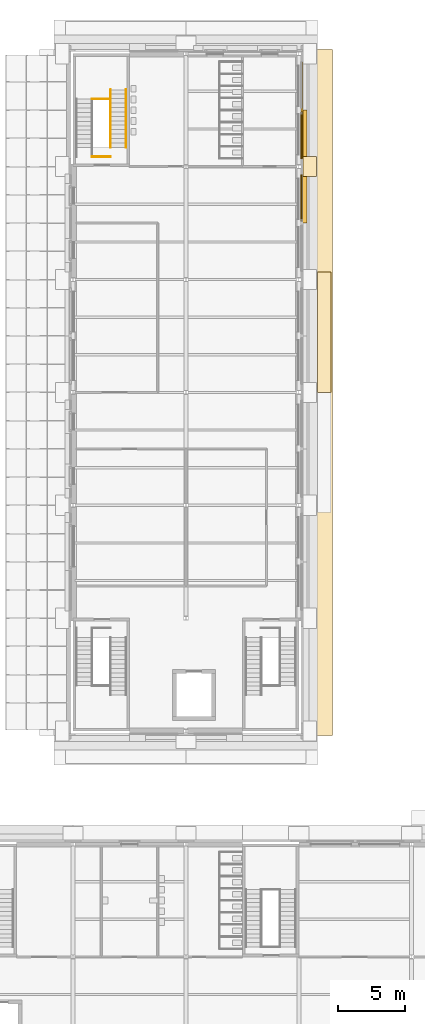
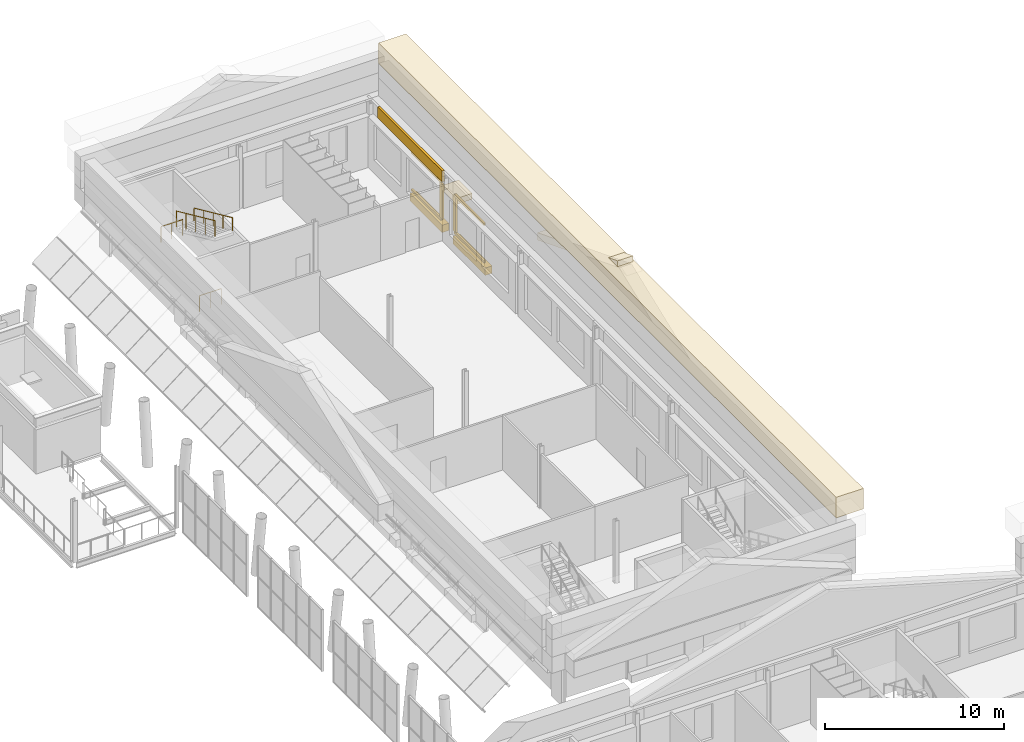
# One storey, part 72 of 76: 12 coverings, 4 railings.
"""IFC4 building model written with IfcOpenShell, lengths in metres."""

from ifc_helpers import new_model, si_unit, direction, frame, origin, origin_2d, place, context, subcontext, project, spatial, polyline, rectangle, circle, outline, extrude, material, layer, layer_set, type_object, element, save


model = new_model("IFC4")

# Units and contexts
model_context = context("Model", 3, precision=1e-05, world=origin(), true_north=direction((0.0, 1.0)))
body_context = subcontext(model_context, "Body", "Model", "MODEL_VIEW")
ifc_project = project(units=[si_unit("LENGTHUNIT", "METRE"), si_unit("AREAUNIT", "SQUARE_METRE"), si_unit("VOLUMEUNIT", "CUBIC_METRE"), si_unit("PLANEANGLEUNIT", "RADIAN"), si_unit("MASSUNIT", "GRAM", prefix="KILO")], contexts=[model_context])

# Site, building, storey
site_placement = place(None, origin())
site = spatial("IfcSite", under=ifc_project, at=site_placement, CompositionType="ELEMENT")
building_placement = place(site_placement, origin())
building = spatial("IfcBuilding", under=site, at=building_placement, Name="Sava Quay Ferry Terminal", CompositionType="ELEMENT")
storey_placement = place(building_placement, frame((0.0, 0.0, 10.800048828125)))
storey = spatial("IfcBuildingStorey", under=building, at=storey_placement, Name="L02", CompositionType="ELEMENT", Elevation=10.800048828125)

# Covering
ifc_material_1 = material(Name="Limestone Mutalj", Category="masonry")
ifc_layer_1 = layer(ifc_material_1, 1.75)
ifc_layer_set_1 = layer_set([ifc_layer_1], Name="Limestone Mutalj")
covering_type_1 = type_object("IfcCoveringType", Name="Attic crown cornice 1400", PredefinedType="MOLDING", material=ifc_layer_set_1)
covering_1_placement = place(storey_placement, frame((110.824951171875, 84.0, 6.39990234375), z_axis=(0.0, 0.0, 1.0), x_axis=(1.0, 0.0, 0.0)))
element("IfcCovering", 1, at=covering_1_placement, inside=storey, type_object=covering_type_1, Name="Attic crown cornice", PredefinedType="MOLDING", context=body_context, shape_type="SweptSolid", body=[
    extrude(rectangle(XDim=1.75, YDim=51.02001953125, at=origin_2d()), origin(), (0.0, 0.0, 1.0), 1.39990234375),
])

# Railings
ifc_material_2 = material(Name="Steel S355", Category="steel")
railing_type_1 = type_object("IfcRailingType", Name="Guard 1100", PredefinedType="GUARDRAIL", material=ifc_material_2)
railing_1_placement = place(storey_placement, frame((93.800048828125, 101.530029296875, 0.0)))
element("IfcRailing", 2, at=railing_1_placement, inside=storey, type_object=railing_type_1, Name="Guard at stair well ST-O3 L02", PredefinedType="GUARDRAIL", context=body_context, shape_type="SweptSolid", body=[
    extrude(circle(Radius=0.02392578125, at=origin_2d()), frame((0.0, 0.0, 1.076171875), z_axis=(1.0, 0.0, 0.0), x_axis=(0.0, 1.0, 0.0)), (0.0, 0.0, 1.0), 1.39990234375),
    extrude(circle(Radius=0.02099609375, at=origin_2d()), origin(), (0.0, 0.0, 1.0), 1.052001953125),
    extrude(circle(Radius=0.02099609375, at=origin_2d()), frame((0.699951171875, 0.0, 0.0)), (0.0, 0.0, 1.0), 1.052001953125),
    extrude(circle(Radius=0.02099609375, at=origin_2d()), frame((1.39990234375, 0.0, 0.0)), (0.0, 0.0, 1.0), 1.052001953125),
])
railing_2_placement = place(storey_placement, frame((95.199951171875, 106.52001953125, 2.25)))
element("IfcRailing", 3, at=railing_2_placement, inside=storey, type_object=railing_type_1, Name="Guard at stair well ST-O3 L02", PredefinedType="GUARDRAIL", context=body_context, shape_type="SweptSolid", body=[
    extrude(circle(Radius=0.02392578125, at=origin_2d()), frame((0.0, 0.0, 1.076171875), z_axis=(0.0, -0.910371800137, 0.413791234219), x_axis=(1.0, 0.0, 0.0)), (0.0, 0.0, 1.0), 4.71240234375),
    extrude(circle(Radius=0.02099609375, at=origin_2d()), origin(), (0.0, 0.0, 1.0), 1.052001953125),
    extrude(circle(Radius=0.02099609375, at=origin_2d()), frame((0.0, -1.072509765625, 0.487548828125)), (0.0, 0.0, 1.0), 1.052001953125),
    extrude(circle(Radius=0.02099609375, at=origin_2d()), frame((0.0, -2.14501953125, 0.97509765625)), (0.0, 0.0, 1.0), 1.052001953125),
    extrude(circle(Radius=0.02099609375, at=origin_2d()), frame((0.0, -3.217529296875, 1.46240234375)), (0.0, 0.0, 1.0), 1.052001953125),
    extrude(circle(Radius=0.02099609375, at=origin_2d()), frame((0.0, -4.2900390625, 1.949951171875)), (0.0, 0.0, 1.0), 1.052001953125),
])
railing_3_placement = place(storey_placement, frame((93.800048828125, 105.820068359375, 2.099853515625)))
element("IfcRailing", 4, at=railing_3_placement, inside=storey, type_object=railing_type_1, Name="Guard at half landing ST-O3 L02", PredefinedType="GUARDRAIL", context=body_context, shape_type="SweptSolid", body=[
    extrude(circle(Radius=0.02392578125, at=origin_2d()), frame((0.0, 0.0, 1.076171875), z_axis=(1.0, 0.0, 0.0), x_axis=(0.0, 1.0, 0.0)), (0.0, 0.0, 1.0), 1.39990234375),
    extrude(circle(Radius=0.02099609375, at=origin_2d()), origin(), (0.0, 0.0, 1.0), 1.052001953125),
    extrude(circle(Radius=0.02099609375, at=origin_2d()), frame((0.699951171875, 0.0, 0.0)), (0.0, 0.0, 1.0), 1.052001953125),
    extrude(circle(Radius=0.02099609375, at=origin_2d()), frame((1.39990234375, 0.0, 0.0)), (0.0, 0.0, 1.0), 1.052001953125),
])

# Coverings
ifc_material_3 = material(Name="Limestone Mutalj", Category="masonry")
ifc_layer_2 = layer(ifc_material_3, 0.14990234375)
ifc_layer_set_2 = layer_set([ifc_layer_2], Name="Limestone Mutalj")
covering_type_2 = type_object("IfcCoveringType", Name="Limestone string course 150", PredefinedType="CLADDING", material=ifc_layer_set_2)
covering_2_placement = place(storey_placement, frame((0.0, 0.0, 3.449951171875)))
element("IfcCovering", 5, at=covering_2_placement, inside=storey, type_object=covering_type_2, Name="String course O-E", PredefinedType="CLADDING", context=body_context, shape_type="SweptSolid", body=[
    extrude(outline(polyline([(109.35009765625, 101.39990234375), (109.35009765625, 108.60009765625), (109.5, 108.60009765625), (109.5, 101.39990234375), (109.35009765625, 101.39990234375)])), origin(), (0.0, 0.0, 1.0), 0.75),
])
ifc_material_4 = material(Name="Limestone Mutalj", Category="masonry")
ifc_layer_3 = layer(ifc_material_4, 1.0)
ifc_layer_set_3 = layer_set([ifc_layer_3], Name="Limestone Mutalj")
covering_type_3 = type_object("IfcCoveringType", Name="Pilaster capital block 1500", PredefinedType="MOLDING", material=ifc_layer_set_3)
covering_3_placement = place(storey_placement, frame((110.0, 100.800048828125, 2.699951171875), z_axis=(0.0, 0.0, 1.0), x_axis=(1.0, 0.0, 0.0)))
element("IfcCovering", 6, at=covering_3_placement, inside=storey, type_object=covering_type_3, Name="Giant-order capital", PredefinedType="MOLDING", context=body_context, shape_type="SweptSolid", body=[
    extrude(rectangle(XDim=1.0, YDim=1.5, at=origin_2d()), origin(), (0.0, 0.0, 1.0), 0.39990234375),
])
ifc_material_5 = material(Name="Limestone Mutalj", Category="masonry")
ifc_layer_4 = layer(ifc_material_5, 0.1201171875)
ifc_layer_set_4 = layer_set([ifc_layer_4], Name="Limestone Mutalj")
covering_type_4 = type_object("IfcCoveringType", Name="Plain window architrave 150", PredefinedType="MOLDING", material=ifc_layer_set_4)
covering_4_placement = place(storey_placement, frame((109.409912109375, 100.050048828125, 0.89990234375), z_axis=(0.0, 0.0, 1.0), x_axis=(1.0, 0.0, 0.0)))
element("IfcCovering", 7, at=covering_4_placement, inside=storey, type_object=covering_type_4, Name="Plain window architrave", PredefinedType="MOLDING", context=body_context, shape_type="SweptSolid", body=[
    extrude(rectangle(XDim=0.1201171875, YDim=0.300048828125, at=origin_2d()), origin(), (0.0, 0.0, 1.0), 2.39990234375),
])
for number, where, z_axis, x_axis, name in (
    (8, (109.409912109375, 98.39990234375, 3.300048828125), (0.0, 0.0, 1.0), (1.0, 0.0, 0.0), "Plain window architrave"),
    (9, (109.409912109375, 98.39990234375, 0.75), (0.0, 0.0, 1.0), (1.0, 0.0, 0.0), "Plain window architrave"),
):
    element("IfcCovering", number, at=place(storey_placement, frame(where, z_axis=z_axis, x_axis=x_axis)), inside=storey, type_object=covering_type_4, Name=name, PredefinedType="MOLDING", context=body_context, shape_type="SweptSolid", body=[
        extrude(rectangle(XDim=0.1201171875, YDim=3.300048828125, at=origin_2d()), origin(), (0.0, 0.0, 1.0), 0.14990234375),
    ])
covering_5_placement = place(storey_placement, frame((109.409912109375, 101.550048828125, 0.89990234375), z_axis=(0.0, 0.0, 1.0), x_axis=(1.0, 0.0, 0.0)))
element("IfcCovering", 10, at=covering_5_placement, inside=storey, type_object=covering_type_4, Name="Plain window architrave", PredefinedType="MOLDING", context=body_context, shape_type="SweptSolid", body=[
    extrude(rectangle(XDim=0.1201171875, YDim=0.300048828125, at=origin_2d()), origin(), (0.0, 0.0, 1.0), 2.39990234375),
])
for number, where, z_axis, x_axis, name in (
    (11, (109.409912109375, 103.199951171875, 3.300048828125), (0.0, 0.0, 1.0), (1.0, 0.0, 0.0), "Plain window architrave"),
    (12, (109.409912109375, 103.199951171875, 0.75), (0.0, 0.0, 1.0), (1.0, 0.0, 0.0), "Plain window architrave"),
):
    element("IfcCovering", number, at=place(storey_placement, frame(where, z_axis=z_axis, x_axis=x_axis)), inside=storey, type_object=covering_type_4, Name=name, PredefinedType="MOLDING", context=body_context, shape_type="SweptSolid", body=[
        extrude(rectangle(XDim=0.1201171875, YDim=3.300048828125, at=origin_2d()), origin(), (0.0, 0.0, 1.0), 0.14990234375),
    ])
ifc_material_6 = material(Name="Limestone Mutalj", Category="masonry")
ifc_layer_5 = layer(ifc_material_6, 1.0)
ifc_layer_set_5 = layer_set([ifc_layer_5], Name="Limestone Mutalj")
covering_type_5 = type_object("IfcCoveringType", Name="Portico raking cornice 1000", PredefinedType="MOLDING", material=ifc_layer_set_5)
covering_6_placement = place(storey_placement, frame((111.60009765625, 84.0, 7.699951171875), z_axis=(1.0, 0.0, 0.0), x_axis=(0.0, 0.931318849213, -0.364204888903)))
element("IfcCovering", 13, at=covering_6_placement, inside=storey, type_object=covering_type_5, Name="Portico raking cornice", PredefinedType="MOLDING", context=body_context, shape_type="SweptSolid", body=[
    extrude(outline(polyline([(0.0, 0.0), (9.609975337062354, 0.0), (9.427872892610614, 0.46565942460633236), (-0.1821024444517412, 0.46565942460633236), (0.0, 0.0)])), origin(), (0.0, 0.0, -1.0), 1.0),
])
ifc_material_7 = material(Name="Limestone Mutalj", Category="masonry")
ifc_layer_6 = layer(ifc_material_7, 0.449951171875)
ifc_layer_set_6 = layer_set([ifc_layer_6], Name="Limestone Mutalj")
covering_type_6 = type_object("IfcCoveringType", Name="Projecting string course 500", PredefinedType="MOLDING", material=ifc_layer_set_6)
for number, where, z_axis, x_axis, name in (
    (14, (109.574951171875, 98.39990234375, 0.0), (0.0, 0.0, 1.0), (1.0, 0.0, 0.0), "Projecting string course"),
    (15, (109.574951171875, 103.199951171875, 0.0), (0.0, 0.0, 1.0), (1.0, 0.0, 0.0), "Projecting string course"),
):
    element("IfcCovering", number, at=place(storey_placement, frame(where, z_axis=z_axis, x_axis=x_axis)), inside=storey, type_object=covering_type_6, Name=name, PredefinedType="MOLDING", context=body_context, shape_type="SweptSolid", body=[
        extrude(rectangle(XDim=0.449951171875, YDim=3.60009765625, at=origin_2d()), origin(), (0.0, 0.0, 1.0), 0.5),
    ])

# Railing
ifc_material_8 = material(Name="Steel S355", Category="steel")
railing_type_2 = type_object("IfcRailingType", Name="Stair handrail 900", PredefinedType="HANDRAIL", material=ifc_material_8)
railing_4_placement = place(storey_placement, frame((96.340087890625, 106.52001953125, 2.25)))
element("IfcRailing", 16, at=railing_4_placement, inside=storey, type_object=railing_type_2, Name="Handrail ST-O3 L02", PredefinedType="HANDRAIL", context=body_context, shape_type="SweptSolid", body=[
    extrude(circle(Radius=0.02392578125, at=origin_2d()), frame((0.0, 0.0, 0.8759765625), z_axis=(0.0, -0.910371800137, 0.413791234219), x_axis=(1.0, 0.0, 0.0)), (0.0, 0.0, 1.0), 4.71240234375),
    extrude(circle(Radius=0.02099609375, at=origin_2d()), origin(), (0.0, 0.0, 1.0), 0.851806640625),
    extrude(circle(Radius=0.02099609375, at=origin_2d()), frame((0.0, -1.072509765625, 0.487548828125)), (0.0, 0.0, 1.0), 0.851806640625),
    extrude(circle(Radius=0.02099609375, at=origin_2d()), frame((0.0, -2.14501953125, 0.97509765625)), (0.0, 0.0, 1.0), 0.851806640625),
    extrude(circle(Radius=0.02099609375, at=origin_2d()), frame((0.0, -3.217529296875, 1.46240234375)), (0.0, 0.0, 1.0), 0.851806640625),
    extrude(circle(Radius=0.02099609375, at=origin_2d()), frame((0.0, -4.2900390625, 1.949951171875)), (0.0, 0.0, 1.0), 0.851806640625),
])

save(model, "model.ifc")
